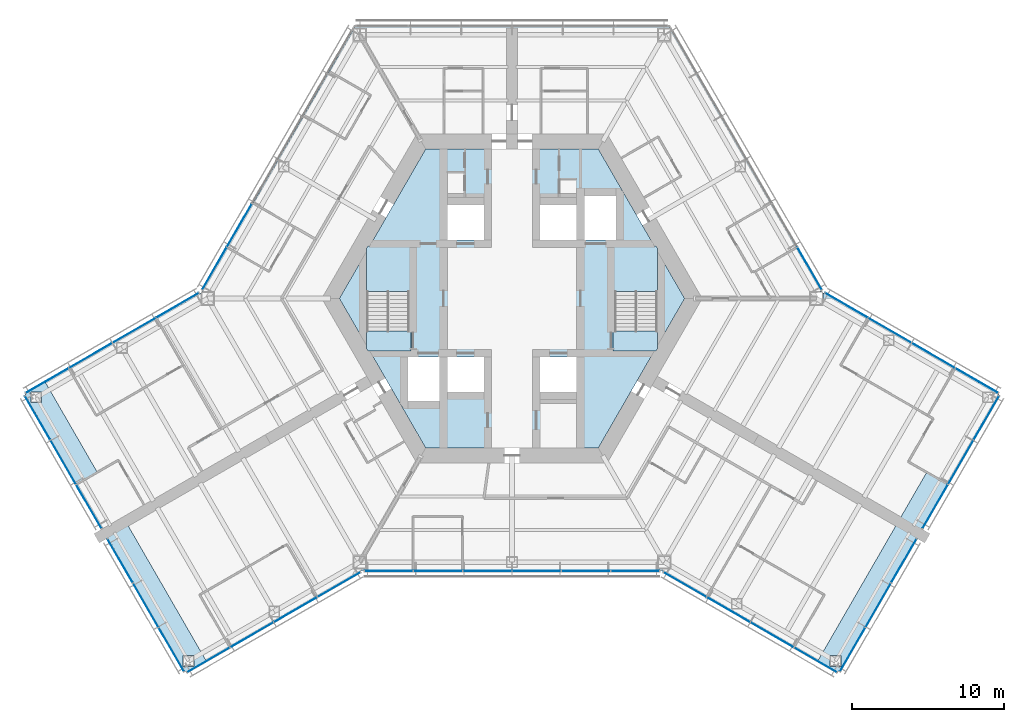
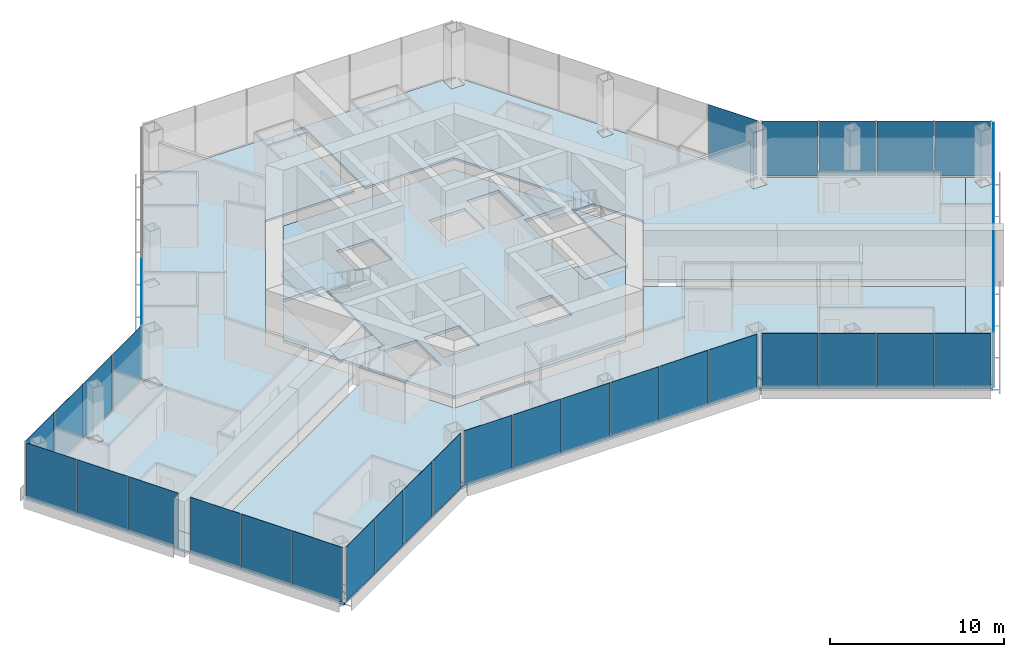
# One storey, part 10 of 18: 37 plates, 11 slabs, 13 elements without a shape of their own.
"""IFC4 building model written with IfcOpenShell, lengths in metres."""

from ifc_helpers import new_model, si_unit, direction, frame, origin, origin_2d, place, context, subcontext, project, spatial, polyline, rectangle, outline, extrude, material, layer, layer_set, type_object, element, aggregate, save


model = new_model("IFC4")

# Units and contexts
model_context = context("Model", 3, precision=1e-05, world=origin(), true_north=direction((0.0, 1.0)))
body_context = subcontext(model_context, "Body", "Model", "MODEL_VIEW")
ifc_project = project(units=[si_unit("LENGTHUNIT", "METRE"), si_unit("AREAUNIT", "SQUARE_METRE"), si_unit("VOLUMEUNIT", "CUBIC_METRE"), si_unit("PLANEANGLEUNIT", "RADIAN"), si_unit("MASSUNIT", "GRAM", prefix="KILO")], contexts=[model_context])

# Site, building, storey
site_placement = place(None, origin())
site = spatial("IfcSite", under=ifc_project, at=site_placement, CompositionType="ELEMENT")
building_placement = place(site_placement, origin())
building = spatial("IfcBuilding", under=site, at=building_placement, Name="Kasaneha Research Tower", CompositionType="ELEMENT")
storey_placement = place(building_placement, frame((0.0, 0.0, 133.10009765625)))
storey = spatial("IfcBuildingStorey", under=building, at=storey_placement, Name="L33", CompositionType="ELEMENT", Elevation=133.10009765625)

# Curtain wall, plates
ifc_material_1 = material(Name="Glass and aluminium", Category="aluminium")
curtain_wall_type = type_object("IfcCurtainWallType", Name="Mid-rise office curtain wall", PredefinedType="USERDEFINED", material=ifc_material_1)
curtain_wall_1_placement = place(storey_placement, origin())
curtain_wall_1 = element("IfcCurtainWall", 1, at=curtain_wall_1_placement, inside=storey, type_object=curtain_wall_type, Name="CW-O2 L33 run 01a", ObjectType="UNITISED CURTAIN WALL", PredefinedType="USERDEFINED")
ifc_material_2 = material(Name="Laminated double glazing", Category="glass")
ifc_layer_1 = layer(ifc_material_2, 0.02587890625)
ifc_layer_set_1 = layer_set([ifc_layer_1], Name="CW-O2 glazed panel")
plate_type = type_object("IfcPlateType", Name="CW-O2 glazed panel", PredefinedType="CURTAIN_PANEL", material=ifc_layer_set_1)
plate_1_placement = place(storey_placement, frame((-8.10107421875, -17.92041015625, 0.06005859375), z_axis=(0.0, 0.0, 1.0), x_axis=(1.0, 0.0, 0.0)))
plate_1 = element("IfcPlate", 2, at=plate_1_placement, type_object=plate_type, Name="CW-O2 panel 1", PredefinedType="CURTAIN_PANEL", context=body_context, shape_type="SweptSolid", body=[
    extrude(rectangle(XDim=3.156494140625, YDim=0.02587890625, at=origin_2d()), origin(), (0.0, 0.0, 1.0), 3.840087890625),
])
plate_2_placement = place(storey_placement, frame((-4.86962890625, -17.92041015625, 0.06005859375), z_axis=(0.0, 0.0, 1.0), x_axis=(1.0, 0.0, 0.0)))
plate_2 = element("IfcPlate", 3, at=plate_2_placement, type_object=plate_type, Name="CW-O2 panel 2", PredefinedType="CURTAIN_PANEL", context=body_context, shape_type="SweptSolid", body=[
    extrude(rectangle(XDim=3.1865234375, YDim=0.02587890625, at=origin_2d()), origin(), (0.0, 0.0, 1.0), 3.840087890625),
])
plate_3_placement = place(storey_placement, frame((-1.623291015625, -17.92041015625, 0.06005859375), z_axis=(0.0, 0.0, 1.0), x_axis=(1.0, 0.0, 0.0)))
plate_3 = element("IfcPlate", 4, at=plate_3_placement, type_object=plate_type, Name="CW-O2 panel 3", PredefinedType="CURTAIN_PANEL", context=body_context, shape_type="SweptSolid", body=[
    extrude(rectangle(XDim=3.1865234375, YDim=0.02587890625, at=origin_2d()), origin(), (0.0, 0.0, 1.0), 3.840087890625),
])
plate_4_placement = place(storey_placement, frame((1.623291015625, -17.92041015625, 0.06005859375), z_axis=(0.0, 0.0, 1.0), x_axis=(1.0, 0.0, 0.0)))
plate_4 = element("IfcPlate", 5, at=plate_4_placement, type_object=plate_type, Name="CW-O2 panel 4", PredefinedType="CURTAIN_PANEL", context=body_context, shape_type="SweptSolid", body=[
    extrude(rectangle(XDim=3.1865234375, YDim=0.02587890625, at=origin_2d()), origin(), (0.0, 0.0, 1.0), 3.840087890625),
])
plate_5_placement = place(storey_placement, frame((4.86962890625, -17.92041015625, 0.06005859375), z_axis=(0.0, 0.0, 1.0), x_axis=(1.0, 0.0, 0.0)))
plate_5 = element("IfcPlate", 6, at=plate_5_placement, type_object=plate_type, Name="CW-O2 panel 5", PredefinedType="CURTAIN_PANEL", context=body_context, shape_type="SweptSolid", body=[
    extrude(rectangle(XDim=3.1865234375, YDim=0.02587890625, at=origin_2d()), origin(), (0.0, 0.0, 1.0), 3.840087890625),
])
plate_6_placement = place(storey_placement, frame((8.10107421875, -17.92041015625, 0.06005859375), z_axis=(0.0, 0.0, 1.0), x_axis=(1.0, 0.0, 0.0)))
plate_6 = element("IfcPlate", 7, at=plate_6_placement, type_object=plate_type, Name="CW-O2 panel 6", PredefinedType="CURTAIN_PANEL", context=body_context, shape_type="SweptSolid", body=[
    extrude(rectangle(XDim=3.156494140625, YDim=0.02587890625, at=origin_2d()), origin(), (0.0, 0.0, 1.0), 3.840087890625),
])
aggregate(curtain_wall_1, [plate_1, plate_2, plate_3, plate_4, plate_5, plate_6])

curtain_wall_2_placement = place(storey_placement, origin())
curtain_wall_2 = element("IfcCurtainWall", 8, at=curtain_wall_2_placement, inside=storey, type_object=curtain_wall_type, Name="CW-O2 L33 run 02a", ObjectType="UNITISED CURTAIN WALL", PredefinedType="USERDEFINED")
plate_7_placement = place(storey_placement, frame((11.3720703125, -18.805419921875, 0.06005859375), z_axis=(0.0, 0.0, 1.0), x_axis=(0.866025411464, -0.499999986699, 0.0)))
plate_7 = element("IfcPlate", 9, at=plate_7_placement, type_object=plate_type, Name="CW-O2 panel 1", PredefinedType="CURTAIN_PANEL", context=body_context, shape_type="SweptSolid", body=[
    extrude(rectangle(XDim=3.2197265625, YDim=0.02587890625, at=origin_2d()), origin(), (0.0, 0.0, 1.0), 3.840087890625),
])
plate_8_placement = place(storey_placement, frame((14.225341796875, -20.452880859375, 0.06005859375), z_axis=(0.0, 0.0, 1.0), x_axis=(0.866025411464, -0.499999986699, 0.0)))
plate_8 = element("IfcPlate", 10, at=plate_8_placement, type_object=plate_type, Name="CW-O2 panel 2", PredefinedType="CURTAIN_PANEL", context=body_context, shape_type="SweptSolid", body=[
    extrude(rectangle(XDim=3.249755859375, YDim=0.02587890625, at=origin_2d()), origin(), (0.0, 0.0, 1.0), 3.840087890625),
])
plate_9_placement = place(storey_placement, frame((17.091796875, -22.107666015625, 0.06005859375), z_axis=(0.0, 0.0, 1.0), x_axis=(0.866025411464, -0.499999986699, 0.0)))
plate_9 = element("IfcPlate", 11, at=plate_9_placement, type_object=plate_type, Name="CW-O2 panel 3", PredefinedType="CURTAIN_PANEL", context=body_context, shape_type="SweptSolid", body=[
    extrude(rectangle(XDim=3.249755859375, YDim=0.02587890625, at=origin_2d()), origin(), (0.0, 0.0, 1.0), 3.840087890625),
])
plate_10_placement = place(storey_placement, frame((19.945068359375, -23.755126953125, 0.06005859375), z_axis=(0.0, 0.0, 1.0), x_axis=(0.866025411464, -0.499999986699, 0.0)))
plate_10 = element("IfcPlate", 12, at=plate_10_placement, type_object=plate_type, Name="CW-O2 panel 4", PredefinedType="CURTAIN_PANEL", context=body_context, shape_type="SweptSolid", body=[
    extrude(rectangle(XDim=3.2197265625, YDim=0.02587890625, at=origin_2d()), origin(), (0.0, 0.0, 1.0), 3.840087890625),
])
aggregate(curtain_wall_2, [plate_7, plate_8, plate_9, plate_10])

curtain_wall_3_placement = place(storey_placement, origin())
curtain_wall_3 = element("IfcCurtainWall", 13, at=curtain_wall_3_placement, inside=storey, type_object=curtain_wall_type, Name="CW-O2 L33 run 03a", ObjectType="UNITISED CURTAIN WALL", PredefinedType="USERDEFINED")
plate_11_placement = place(storey_placement, frame((22.38134765625, -23.075439453125, 0.06005859375), z_axis=(0.0, 0.0, 1.0), x_axis=(0.500000011442, 0.866025397178, 0.0)))
plate_11 = element("IfcPlate", 14, at=plate_11_placement, type_object=plate_type, Name="CW-O2 panel 1", PredefinedType="CURTAIN_PANEL", context=body_context, shape_type="SweptSolid", body=[
    extrude(rectangle(XDim=3.293212890625, YDim=0.02587890625, at=origin_2d()), origin(), (0.0, 0.0, 1.0), 3.840087890625),
])
plate_12_placement = place(storey_placement, frame((24.0654296875, -20.158447265625, 0.06005859375), z_axis=(0.0, 0.0, 1.0), x_axis=(0.500000011442, 0.866025397178, 0.0)))
plate_12 = element("IfcPlate", 15, at=plate_12_placement, type_object=plate_type, Name="CW-O2 panel 2", PredefinedType="CURTAIN_PANEL", context=body_context, shape_type="SweptSolid", body=[
    extrude(rectangle(XDim=3.3232421875, YDim=0.02587890625, at=origin_2d()), origin(), (0.0, 0.0, 1.0), 3.840087890625),
])
plate_13_placement = place(storey_placement, frame((25.74951171875, -17.241455078125, 0.06005859375), z_axis=(0.0, 0.0, 1.0), x_axis=(0.500000011442, 0.866025397178, 0.0)))
plate_13 = element("IfcPlate", 16, at=plate_13_placement, type_object=plate_type, Name="CW-O2 panel 3", PredefinedType="CURTAIN_PANEL", context=body_context, shape_type="SweptSolid", body=[
    extrude(rectangle(XDim=3.293212890625, YDim=0.02587890625, at=origin_2d()), origin(), (0.0, 0.0, 1.0), 3.840087890625),
])
aggregate(curtain_wall_3, [plate_11, plate_12, plate_13])

curtain_wall_4_placement = place(storey_placement, origin())
curtain_wall_4 = element("IfcCurtainWall", 17, at=curtain_wall_4_placement, inside=storey, type_object=curtain_wall_type, Name="CW-O2 L33 run 04a", ObjectType="UNITISED CURTAIN WALL", PredefinedType="USERDEFINED")
plate_14_placement = place(storey_placement, frame((27.806396484375, -13.67919921875, 0.06005859375), z_axis=(0.0, 0.0, 1.0), x_axis=(0.500000011442, 0.866025397178, 0.0)))
plate_14 = element("IfcPlate", 18, at=plate_14_placement, type_object=plate_type, Name="CW-O2 panel 1", PredefinedType="CURTAIN_PANEL", context=body_context, shape_type="SweptSolid", body=[
    extrude(rectangle(XDim=3.293212890625, YDim=0.02587890625, at=origin_2d()), origin(), (0.0, 0.0, 1.0), 3.840087890625),
])
plate_15_placement = place(storey_placement, frame((29.490478515625, -10.761962890625, 0.06005859375), z_axis=(0.0, 0.0, 1.0), x_axis=(0.500000011442, 0.866025397178, 0.0)))
plate_15 = element("IfcPlate", 19, at=plate_15_placement, type_object=plate_type, Name="CW-O2 panel 2", PredefinedType="CURTAIN_PANEL", context=body_context, shape_type="SweptSolid", body=[
    extrude(rectangle(XDim=3.3232421875, YDim=0.02587890625, at=origin_2d()), origin(), (0.0, 0.0, 1.0), 3.840087890625),
])
plate_16_placement = place(storey_placement, frame((31.174560546875, -7.844970703125, 0.06005859375), z_axis=(0.0, 0.0, 1.0), x_axis=(0.500000011442, 0.866025397178, 0.0)))
plate_16 = element("IfcPlate", 20, at=plate_16_placement, type_object=plate_type, Name="CW-O2 panel 3", PredefinedType="CURTAIN_PANEL", context=body_context, shape_type="SweptSolid", body=[
    extrude(rectangle(XDim=3.293212890625, YDim=0.02587890625, at=origin_2d()), origin(), (0.0, 0.0, 1.0), 3.840087890625),
])
aggregate(curtain_wall_4, [plate_14, plate_15, plate_16])

curtain_wall_5_placement = place(storey_placement, origin())
curtain_wall_5 = element("IfcCurtainWall", 21, at=curtain_wall_5_placement, inside=storey, type_object=curtain_wall_type, Name="CW-O2 L33 run 05a", ObjectType="UNITISED CURTAIN WALL", PredefinedType="USERDEFINED")
plate_17_placement = place(storey_placement, frame((30.545166015625, -5.3955078125, 0.06005859375), z_axis=(0.0, 0.0, 1.0), x_axis=(-0.866025411464, 0.499999986699, 0.0)))
plate_17 = element("IfcPlate", 22, at=plate_17_placement, type_object=plate_type, Name="CW-O2 panel 1", PredefinedType="CURTAIN_PANEL", context=body_context, shape_type="SweptSolid", body=[
    extrude(rectangle(XDim=3.2197265625, YDim=0.02587890625, at=origin_2d()), origin(), (0.0, 0.0, 1.0), 3.840087890625),
])
plate_18_placement = place(storey_placement, frame((27.69189453125, -3.748046875, 0.06005859375), z_axis=(0.0, 0.0, 1.0), x_axis=(-0.866025411464, 0.499999986699, 0.0)))
plate_18 = element("IfcPlate", 23, at=plate_18_placement, type_object=plate_type, Name="CW-O2 panel 2", PredefinedType="CURTAIN_PANEL", context=body_context, shape_type="SweptSolid", body=[
    extrude(rectangle(XDim=3.249755859375, YDim=0.02587890625, at=origin_2d()), origin(), (0.0, 0.0, 1.0), 3.840087890625),
])
plate_19_placement = place(storey_placement, frame((24.825439453125, -2.093017578125, 0.06005859375), z_axis=(0.0, 0.0, 1.0), x_axis=(-0.866025411464, 0.499999986699, 0.0)))
plate_19 = element("IfcPlate", 24, at=plate_19_placement, type_object=plate_type, Name="CW-O2 panel 3", PredefinedType="CURTAIN_PANEL", context=body_context, shape_type="SweptSolid", body=[
    extrude(rectangle(XDim=3.249755859375, YDim=0.02587890625, at=origin_2d()), origin(), (0.0, 0.0, 1.0), 3.840087890625),
])
plate_20_placement = place(storey_placement, frame((21.971923828125, -0.44580078125, 0.06005859375), z_axis=(0.0, 0.0, 1.0), x_axis=(-0.866025411464, 0.499999986699, 0.0)))
plate_20 = element("IfcPlate", 25, at=plate_20_placement, type_object=plate_type, Name="CW-O2 panel 4", PredefinedType="CURTAIN_PANEL", context=body_context, shape_type="SweptSolid", body=[
    extrude(rectangle(XDim=3.2197265625, YDim=0.02587890625, at=origin_2d()), origin(), (0.0, 0.0, 1.0), 3.840087890625),
])
aggregate(curtain_wall_5, [plate_17, plate_18, plate_19, plate_20])

# Curtain wall, plate
curtain_wall_6_placement = place(storey_placement, origin())
curtain_wall_6 = element("IfcCurtainWall", 26, at=curtain_wall_6_placement, inside=storey, type_object=curtain_wall_type, Name="CW-O2 L33 run 06a", ObjectType="UNITISED CURTAIN WALL", PredefinedType="USERDEFINED")
plate_21_placement = place(storey_placement, frame((19.559814453125, 1.962646484375, 0.06005859375), z_axis=(0.0, 0.0, 1.0), x_axis=(-0.499999979232, 0.866025415775, 0.0)))
plate_21 = element("IfcPlate", 27, at=plate_21_placement, type_object=plate_type, Name="CW-O2 panel 1", PredefinedType="CURTAIN_PANEL", context=body_context, shape_type="SweptSolid", body=[
    extrude(rectangle(XDim=3.197998046875, YDim=0.02587890625, at=origin_2d()), origin(), (0.0, 0.0, 1.0), 3.840087890625),
])
aggregate(curtain_wall_6, [plate_21])

# Curtain wall, plates
curtain_wall_7_placement = place(storey_placement, origin())
curtain_wall_7 = element("IfcCurtainWall", 28, at=curtain_wall_7_placement, inside=storey, type_object=curtain_wall_type, Name="CW-O2 L33 run 08a", ObjectType="UNITISED CURTAIN WALL", PredefinedType="USERDEFINED")
plate_22_placement = place(storey_placement, frame((-17.923095703125, 4.797119140625, 0.06005859375), z_axis=(0.0, 0.0, 1.0), x_axis=(-0.499999979232, -0.866025415775, 0.0)))
plate_22 = element("IfcPlate", 29, at=plate_22_placement, type_object=plate_type, Name="CW-O2 panel 5", PredefinedType="CURTAIN_PANEL", context=body_context, shape_type="SweptSolid", body=[
    extrude(rectangle(XDim=3.22802734375, YDim=0.02587890625, at=origin_2d()), origin(), (0.0, 0.0, 1.0), 3.840087890625),
])
plate_23_placement = place(storey_placement, frame((-19.559814453125, 1.962646484375, 0.06005859375), z_axis=(0.0, 0.0, 1.0), x_axis=(-0.499999979232, -0.866025415775, 0.0)))
plate_23 = element("IfcPlate", 30, at=plate_23_placement, type_object=plate_type, Name="CW-O2 panel 6", PredefinedType="CURTAIN_PANEL", context=body_context, shape_type="SweptSolid", body=[
    extrude(rectangle(XDim=3.197998046875, YDim=0.02587890625, at=origin_2d()), origin(), (0.0, 0.0, 1.0), 3.840087890625),
])
aggregate(curtain_wall_7, [plate_22, plate_23])

curtain_wall_8_placement = place(storey_placement, origin())
curtain_wall_8 = element("IfcCurtainWall", 31, at=curtain_wall_8_placement, inside=storey, type_object=curtain_wall_type, Name="CW-O2 L33 run 09a", ObjectType="UNITISED CURTAIN WALL", PredefinedType="USERDEFINED")
plate_24_placement = place(storey_placement, frame((-21.971923828125, -0.44580078125, 0.06005859375), z_axis=(0.0, 0.0, 1.0), x_axis=(-0.866025411464, -0.499999986699, 0.0)))
plate_24 = element("IfcPlate", 32, at=plate_24_placement, type_object=plate_type, Name="CW-O2 panel 1", PredefinedType="CURTAIN_PANEL", context=body_context, shape_type="SweptSolid", body=[
    extrude(rectangle(XDim=3.2197265625, YDim=0.02587890625, at=origin_2d()), origin(), (0.0, 0.0, 1.0), 3.840087890625),
])
plate_25_placement = place(storey_placement, frame((-24.825439453125, -2.093017578125, 0.06005859375), z_axis=(0.0, 0.0, 1.0), x_axis=(-0.866025411464, -0.499999986699, 0.0)))
plate_25 = element("IfcPlate", 33, at=plate_25_placement, type_object=plate_type, Name="CW-O2 panel 2", PredefinedType="CURTAIN_PANEL", context=body_context, shape_type="SweptSolid", body=[
    extrude(rectangle(XDim=3.249755859375, YDim=0.02587890625, at=origin_2d()), origin(), (0.0, 0.0, 1.0), 3.840087890625),
])
plate_26_placement = place(storey_placement, frame((-27.69189453125, -3.748046875, 0.06005859375), z_axis=(0.0, 0.0, 1.0), x_axis=(-0.866025411464, -0.499999986699, 0.0)))
plate_26 = element("IfcPlate", 34, at=plate_26_placement, type_object=plate_type, Name="CW-O2 panel 3", PredefinedType="CURTAIN_PANEL", context=body_context, shape_type="SweptSolid", body=[
    extrude(rectangle(XDim=3.249755859375, YDim=0.02587890625, at=origin_2d()), origin(), (0.0, 0.0, 1.0), 3.840087890625),
])
plate_27_placement = place(storey_placement, frame((-30.545166015625, -5.3955078125, 0.06005859375), z_axis=(0.0, 0.0, 1.0), x_axis=(-0.866025411464, -0.499999986699, 0.0)))
plate_27 = element("IfcPlate", 35, at=plate_27_placement, type_object=plate_type, Name="CW-O2 panel 4", PredefinedType="CURTAIN_PANEL", context=body_context, shape_type="SweptSolid", body=[
    extrude(rectangle(XDim=3.2197265625, YDim=0.02587890625, at=origin_2d()), origin(), (0.0, 0.0, 1.0), 3.840087890625),
])
aggregate(curtain_wall_8, [plate_24, plate_25, plate_26, plate_27])

curtain_wall_9_placement = place(storey_placement, origin())
curtain_wall_9 = element("IfcCurtainWall", 36, at=curtain_wall_9_placement, inside=storey, type_object=curtain_wall_type, Name="CW-O2 L33 run 10a", ObjectType="UNITISED CURTAIN WALL", PredefinedType="USERDEFINED")
plate_28_placement = place(storey_placement, frame((-31.174560546875, -7.844970703125, 0.06005859375), z_axis=(0.0, 0.0, 1.0), x_axis=(0.500000011442, -0.866025397178, 0.0)))
plate_28 = element("IfcPlate", 37, at=plate_28_placement, type_object=plate_type, Name="CW-O2 panel 1", PredefinedType="CURTAIN_PANEL", context=body_context, shape_type="SweptSolid", body=[
    extrude(rectangle(XDim=3.293212890625, YDim=0.02587890625, at=origin_2d()), origin(), (0.0, 0.0, 1.0), 3.840087890625),
])
plate_29_placement = place(storey_placement, frame((-29.490478515625, -10.761962890625, 0.06005859375), z_axis=(0.0, 0.0, 1.0), x_axis=(0.500000011442, -0.866025397178, 0.0)))
plate_29 = element("IfcPlate", 38, at=plate_29_placement, type_object=plate_type, Name="CW-O2 panel 2", PredefinedType="CURTAIN_PANEL", context=body_context, shape_type="SweptSolid", body=[
    extrude(rectangle(XDim=3.3232421875, YDim=0.02587890625, at=origin_2d()), origin(), (0.0, 0.0, 1.0), 3.840087890625),
])
plate_30_placement = place(storey_placement, frame((-27.806396484375, -13.67919921875, 0.06005859375), z_axis=(0.0, 0.0, 1.0), x_axis=(0.500000011442, -0.866025397178, 0.0)))
plate_30 = element("IfcPlate", 39, at=plate_30_placement, type_object=plate_type, Name="CW-O2 panel 3", PredefinedType="CURTAIN_PANEL", context=body_context, shape_type="SweptSolid", body=[
    extrude(rectangle(XDim=3.293212890625, YDim=0.02587890625, at=origin_2d()), origin(), (0.0, 0.0, 1.0), 3.840087890625),
])
aggregate(curtain_wall_9, [plate_28, plate_29, plate_30])

curtain_wall_10_placement = place(storey_placement, origin())
curtain_wall_10 = element("IfcCurtainWall", 40, at=curtain_wall_10_placement, inside=storey, type_object=curtain_wall_type, Name="CW-O2 L33 run 11a", ObjectType="UNITISED CURTAIN WALL", PredefinedType="USERDEFINED")
plate_31_placement = place(storey_placement, frame((-25.74951171875, -17.241455078125, 0.06005859375), z_axis=(0.0, 0.0, 1.0), x_axis=(0.500000011442, -0.866025397178, 0.0)))
plate_31 = element("IfcPlate", 41, at=plate_31_placement, type_object=plate_type, Name="CW-O2 panel 1", PredefinedType="CURTAIN_PANEL", context=body_context, shape_type="SweptSolid", body=[
    extrude(rectangle(XDim=3.293212890625, YDim=0.02587890625, at=origin_2d()), origin(), (0.0, 0.0, 1.0), 3.840087890625),
])
plate_32_placement = place(storey_placement, frame((-24.0654296875, -20.158447265625, 0.06005859375), z_axis=(0.0, 0.0, 1.0), x_axis=(0.500000011442, -0.866025397178, 0.0)))
plate_32 = element("IfcPlate", 42, at=plate_32_placement, type_object=plate_type, Name="CW-O2 panel 2", PredefinedType="CURTAIN_PANEL", context=body_context, shape_type="SweptSolid", body=[
    extrude(rectangle(XDim=3.3232421875, YDim=0.02587890625, at=origin_2d()), origin(), (0.0, 0.0, 1.0), 3.840087890625),
])
plate_33_placement = place(storey_placement, frame((-22.38134765625, -23.075439453125, 0.06005859375), z_axis=(0.0, 0.0, 1.0), x_axis=(0.500000011442, -0.866025397178, 0.0)))
plate_33 = element("IfcPlate", 43, at=plate_33_placement, type_object=plate_type, Name="CW-O2 panel 3", PredefinedType="CURTAIN_PANEL", context=body_context, shape_type="SweptSolid", body=[
    extrude(rectangle(XDim=3.293212890625, YDim=0.02587890625, at=origin_2d()), origin(), (0.0, 0.0, 1.0), 3.840087890625),
])
aggregate(curtain_wall_10, [plate_31, plate_32, plate_33])

curtain_wall_11_placement = place(storey_placement, origin())
curtain_wall_11 = element("IfcCurtainWall", 44, at=curtain_wall_11_placement, inside=storey, type_object=curtain_wall_type, Name="CW-O2 L33 run 12a", ObjectType="UNITISED CURTAIN WALL", PredefinedType="USERDEFINED")
plate_34_placement = place(storey_placement, frame((-19.945068359375, -23.755126953125, 0.06005859375), z_axis=(0.0, 0.0, 1.0), x_axis=(0.866025411464, 0.499999986699, 0.0)))
plate_34 = element("IfcPlate", 45, at=plate_34_placement, type_object=plate_type, Name="CW-O2 panel 1", PredefinedType="CURTAIN_PANEL", context=body_context, shape_type="SweptSolid", body=[
    extrude(rectangle(XDim=3.2197265625, YDim=0.02587890625, at=origin_2d()), origin(), (0.0, 0.0, 1.0), 3.840087890625),
])
plate_35_placement = place(storey_placement, frame((-17.091796875, -22.107666015625, 0.06005859375), z_axis=(0.0, 0.0, 1.0), x_axis=(0.866025411464, 0.499999986699, 0.0)))
plate_35 = element("IfcPlate", 46, at=plate_35_placement, type_object=plate_type, Name="CW-O2 panel 2", PredefinedType="CURTAIN_PANEL", context=body_context, shape_type="SweptSolid", body=[
    extrude(rectangle(XDim=3.249755859375, YDim=0.02587890625, at=origin_2d()), origin(), (0.0, 0.0, 1.0), 3.840087890625),
])
plate_36_placement = place(storey_placement, frame((-14.225341796875, -20.452880859375, 0.06005859375), z_axis=(0.0, 0.0, 1.0), x_axis=(0.866025411464, 0.499999986699, 0.0)))
plate_36 = element("IfcPlate", 47, at=plate_36_placement, type_object=plate_type, Name="CW-O2 panel 3", PredefinedType="CURTAIN_PANEL", context=body_context, shape_type="SweptSolid", body=[
    extrude(rectangle(XDim=3.249755859375, YDim=0.02587890625, at=origin_2d()), origin(), (0.0, 0.0, 1.0), 3.840087890625),
])
plate_37_placement = place(storey_placement, frame((-11.3720703125, -18.805419921875, 0.06005859375), z_axis=(0.0, 0.0, 1.0), x_axis=(0.866025411464, 0.499999986699, 0.0)))
plate_37 = element("IfcPlate", 48, at=plate_37_placement, type_object=plate_type, Name="CW-O2 panel 4", PredefinedType="CURTAIN_PANEL", context=body_context, shape_type="SweptSolid", body=[
    extrude(rectangle(XDim=3.2197265625, YDim=0.02587890625, at=origin_2d()), origin(), (0.0, 0.0, 1.0), 3.840087890625),
])
aggregate(curtain_wall_11, [plate_34, plate_35, plate_36, plate_37])

# Slabs
ifc_material_3 = material(Name="Concrete Fc24", Category="concrete")
ifc_layer_2 = layer(ifc_material_3, 0.199951171875)
ifc_layer_set_2 = layer_set([ifc_layer_2], Name="Core floor slab 200")
slab_type_1 = type_object("IfcSlabType", Name="Core floor slab 200", PredefinedType="FLOOR", material=ifc_layer_set_2)
slab_1_placement = place(storey_placement, frame((0.0, 0.0, -0.2001953125)))
element("IfcSlab", 49, at=slab_1_placement, inside=storey, type_object=slab_type_1, Name="Core slab L33", PredefinedType="FLOOR", context=body_context, shape_type="SweptSolid", body=[
    extrude(outline(polyline([(-11.344970703125, 0.0), (-9.550048828125, 3.10888671875), (-9.550048828125, -3.10888671875), (-11.344970703125, 0.0)])), origin(), (0.0, 0.0, 1.0), 0.2001953125),
])
slab_2_placement = place(storey_placement, frame((0.0, 0.0, -0.2001953125)))
element("IfcSlab", 50, at=slab_2_placement, inside=storey, type_object=slab_type_1, Name="Core slab L33", PredefinedType="FLOOR", context=body_context, shape_type="SweptSolid", body=[
    extrude(outline(polyline([(-5.67236328125, 9.824951171875), (5.67236328125, 9.824951171875), (9.35302734375, 3.449951171875), (6.64990234375, 3.449951171875), (6.64990234375, -3.449951171875), (9.35302734375, -3.449951171875), (5.67236328125, -9.824951171875), (-5.67236328125, -9.824951171875), (-9.35302734375, -3.449951171875), (-6.64990234375, -3.449951171875), (-6.64990234375, 3.449951171875), (-9.35302734375, 3.449951171875), (-5.67236328125, 9.824951171875)]), holes=[polyline([(-6.85009765625, -3.85009765625), (-6.85009765625, -6.75), (-4.75, -6.75), (-4.75, -3.85009765625), (-6.85009765625, -3.85009765625)]), polyline([(-4.25, -3.85009765625), (-4.25, -6.14990234375), (-1.85009765625, -6.14990234375), (-1.85009765625, -3.85009765625), (-4.25, -3.85009765625)]), polyline([(1.85009765625, -3.85009765625), (1.85009765625, -6.14990234375), (4.25, -6.14990234375), (4.25, -3.85009765625), (1.85009765625, -3.85009765625)]), polyline([(-4.25, 6.14990234375), (-4.25, 3.85009765625), (-1.85009765625, 3.85009765625), (-1.85009765625, 6.14990234375), (-4.25, 6.14990234375)]), polyline([(1.85009765625, 6.14990234375), (1.85009765625, 3.85009765625), (4.25, 3.85009765625), (4.25, 6.14990234375), (1.85009765625, 6.14990234375)]), polyline([(4.75, 6.75), (4.75, 3.85009765625), (6.85009765625, 3.85009765625), (6.85009765625, 6.75), (4.75, 6.75)])]), origin(), (0.0, 0.0, 1.0), 0.2001953125),
])
slab_3_placement = place(storey_placement, frame((0.0, 0.0, -0.2001953125)))
element("IfcSlab", 51, at=slab_3_placement, inside=storey, type_object=slab_type_1, Name="Core slab L33", PredefinedType="FLOOR", context=body_context, shape_type="SweptSolid", body=[
    extrude(outline(polyline([(11.344970703125, 0.0), (9.550048828125, -3.10888671875), (9.550048828125, 3.10888671875), (11.344970703125, 0.0)])), origin(), (0.0, 0.0, 1.0), 0.2001953125),
])
ifc_material_4 = material(Name="Concrete Fc24", Category="concrete")
ifc_layer_3 = layer(ifc_material_4, 0.14990234375)
ifc_layer_set_3 = layer_set([ifc_layer_3], Name="Floor slab 150")
slab_type_2 = type_object("IfcSlabType", Name="Floor slab 150", PredefinedType="FLOOR", material=ifc_layer_set_3)
slab_4_placement = place(storey_placement, frame((0.0, 0.0, -0.150146484375)))
element("IfcSlab", 52, at=slab_4_placement, inside=storey, type_object=slab_type_2, Name="Floor slab L33 1", PredefinedType="FLOOR", context=body_context, shape_type="SweptSolid", body=[
    extrude(outline(polyline([(-25.55859375, -14.35205078125), (-25.5673828125, -14.357177734375), (-25.21728515625, -14.96337890625), (-25.208740234375, -14.958251953125), (-20.108642578125, -23.791748046875), (-21.459716796875, -24.57177734375), (-32.009521484375, -6.298583984375), (-30.65869140625, -5.518798828125), (-25.55859375, -14.35205078125)]), holes=[polyline([(-21.6083984375, -24.17041015625), (-20.908447265625, -24.17041015625), (-20.908447265625, -23.470458984375), (-21.6083984375, -23.470458984375), (-21.6083984375, -24.17041015625)]), polyline([(-31.6083984375, -6.85009765625), (-30.908447265625, -6.85009765625), (-30.908447265625, -6.14990234375), (-31.6083984375, -6.14990234375), (-31.6083984375, -6.85009765625)])]), origin(), (0.0, 0.0, 1.0), 0.150146484375),
])
slab_5_placement = place(storey_placement, frame((0.0, 0.0, -0.150146484375)))
element("IfcSlab", 53, at=slab_5_placement, inside=storey, type_object=slab_type_2, Name="Floor slab L33 2", PredefinedType="FLOOR", context=body_context, shape_type="SweptSolid", body=[
    extrude(outline(polyline([(9.8525390625, -17.87060546875), (-9.8525390625, -17.87060546875), (-20.108642578125, -23.791748046875), (-25.208740234375, -14.958251953125), (-9.19970703125, -5.715576171875), (-6.249755859375, -10.824951171875), (6.249755859375, -10.824951171875), (9.19970703125, -5.715576171875), (25.208740234375, -14.958251953125), (20.108642578125, -23.791748046875), (9.8525390625, -17.87060546875)]), holes=[polyline([(-15.979248046875, -20.92041015625), (-15.279052734375, -20.92041015625), (-15.279052734375, -20.220458984375), (-15.979248046875, -20.220458984375), (-15.979248046875, -20.92041015625)]), polyline([(-0.35009765625, -17.67041015625), (0.35009765625, -17.67041015625), (0.35009765625, -16.970458984375), (-0.35009765625, -16.970458984375), (-0.35009765625, -17.67041015625)]), polyline([(-10.449951171875, -16.87060546875), (-10.449951171875, -17.7705078125), (-9.550048828125, -17.7705078125), (-9.550048828125, -16.87060546875), (-10.449951171875, -16.87060546875)]), polyline([(14.4130859375, -20.42041015625), (15.113037109375, -20.42041015625), (15.113037109375, -19.720458984375), (14.4130859375, -19.720458984375), (14.4130859375, -20.42041015625)]), polyline([(9.550048828125, -16.87060546875), (9.550048828125, -17.7705078125), (10.449951171875, -17.7705078125), (10.449951171875, -16.87060546875), (9.550048828125, -16.87060546875)])]), origin(), (0.0, 0.0, 1.0), 0.150146484375),
])
slab_6_placement = place(storey_placement, frame((0.0, 0.0, -0.150146484375)))
element("IfcSlab", 54, at=slab_6_placement, inside=storey, type_object=slab_type_2, Name="Floor slab L33 3", PredefinedType="FLOOR", context=body_context, shape_type="SweptSolid", body=[
    extrude(outline(polyline([(-20.449951171875, -0.449951171875), (-19.550048828125, -0.449951171875), (-19.550048828125, 0.449951171875), (-20.375244140625, 0.449951171875), (-10.449951171875, 17.64111328125), (-10.449951171875, 16.87060546875), (-9.550048828125, 16.87060546875), (-9.550048828125, 17.7705078125), (-10.375244140625, 17.7705078125), (-10.317626953125, 17.87060546875), (10.317626953125, 17.87060546875), (10.375244140625, 17.7705078125), (9.550048828125, 17.7705078125), (9.550048828125, 16.87060546875), (10.449951171875, 16.87060546875), (10.449951171875, 17.64111328125), (20.375244140625, 0.449951171875), (19.550048828125, 0.449951171875), (19.550048828125, -0.449951171875), (20.449951171875, -0.449951171875), (20.449951171875, 0.375244140625), (30.65869140625, -5.518798828125), (25.55859375, -14.35205078125), (9.5498046875, -5.109375), (12.49951171875, 0.0), (6.249755859375, 10.824951171875), (0.35009765625, 10.824951171875), (0.35009765625, 17.7705078125), (-0.35009765625, 17.7705078125), (-0.35009765625, 10.824951171875), (-6.249755859375, 10.824951171875), (-12.49951171875, 0.0), (-9.5498046875, -5.109375), (-25.55859375, -14.35205078125), (-30.65869140625, -5.518798828125), (-20.449951171875, 0.375244140625), (-20.449951171875, -0.449951171875)]), holes=[polyline([(-25.979248046875, -3.60009765625), (-25.279052734375, -3.60009765625), (-25.279052734375, -2.89990234375), (-25.979248046875, -2.89990234375), (-25.979248046875, -3.60009765625)]), polyline([(-15.35009765625, 9.01025390625), (-15.35009765625, 8.310302734375), (-14.64990234375, 8.310302734375), (-14.64990234375, 9.01025390625), (-15.35009765625, 9.01025390625)]), polyline([(24.4130859375, -2.39990234375), (24.4130859375, -3.10009765625), (25.113037109375, -3.10009765625), (25.113037109375, -2.39990234375), (24.4130859375, -2.39990234375)]), polyline([(14.64990234375, 9.01025390625), (14.64990234375, 8.310302734375), (15.35009765625, 8.310302734375), (15.35009765625, 9.01025390625), (14.64990234375, 9.01025390625)])]), origin(), (0.0, 0.0, 1.0), 0.150146484375),
])
slab_7_placement = place(storey_placement, frame((0.0, 0.0, -0.150146484375)))
element("IfcSlab", 55, at=slab_7_placement, inside=storey, type_object=slab_type_2, Name="Floor slab L33 4", PredefinedType="FLOOR", context=body_context, shape_type="SweptSolid", body=[
    extrude(outline(polyline([(32.009521484375, -6.298583984375), (21.459716796875, -24.57177734375), (20.108642578125, -23.791748046875), (25.208740234375, -14.958251953125), (25.21728515625, -14.96337890625), (25.5673828125, -14.357177734375), (25.55859375, -14.35205078125), (30.65869140625, -5.518798828125), (32.009521484375, -6.298583984375)]), holes=[polyline([(20.908447265625, -24.17041015625), (21.6083984375, -24.17041015625), (21.6083984375, -23.470458984375), (20.908447265625, -23.470458984375), (20.908447265625, -24.17041015625)]), polyline([(30.908447265625, -6.85009765625), (31.6083984375, -6.85009765625), (31.6083984375, -6.14990234375), (30.908447265625, -6.14990234375), (30.908447265625, -6.85009765625)])]), origin(), (0.0, 0.0, 1.0), 0.150146484375),
])

# Stair, slabs
ifc_material_5 = material(Name="Concrete Fc24", Category="concrete")
stair_type = type_object("IfcStairType", Name="Half-turn stair 22 risers", PredefinedType="HALF_TURN_STAIR", material=ifc_material_5)
stair_1_placement = place(storey_placement, origin())
stair_1 = element("IfcStair", 56, at=stair_1_placement, inside=storey, type_object=stair_type, Name="Stair 1 L33", PredefinedType="HALF_TURN_STAIR")
ifc_material_6 = material(Name="Concrete Fc24", Category="concrete")
ifc_layer_4 = layer(ifc_material_6, 0.199951171875)
ifc_layer_set_4 = layer_set([ifc_layer_4], Name="Stair 1 landing 200")
slab_type_3 = type_object("IfcSlabType", Name="Stair 1 landing 200", PredefinedType="LANDING", material=ifc_layer_set_4)
slab_8_placement = place(storey_placement, frame((0.0, 0.0, -0.2001953125)))
slab_8 = element("IfcSlab", 57, at=slab_8_placement, type_object=slab_type_3, Name="ST1-22R landing 1", PredefinedType="LANDING", context=body_context, shape_type="SweptSolid", body=[
    extrude(outline(polyline([(9.468505859375, -3.449951171875), (6.64990234375, -3.449951171875), (6.64990234375, -2.14990234375), (9.550048828125, -2.14990234375), (9.550048828125, -3.308837890625), (9.468505859375, -3.449951171875)])), origin(), (0.0, 0.0, 1.0), 0.2001953125),
])
slab_9_placement = place(storey_placement, frame((0.0, 0.0, 1.75)))
slab_9 = element("IfcSlab", 58, at=slab_9_placement, type_object=slab_type_3, Name="ST1-22R landing 2", PredefinedType="LANDING", context=body_context, shape_type="SweptSolid", body=[
    extrude(outline(polyline([(6.64990234375, 3.449951171875), (9.468505859375, 3.449951171875), (9.550048828125, 3.308837890625), (9.550048828125, 0.449951171875), (6.64990234375, 0.449951171875), (6.64990234375, 3.449951171875)])), origin(), (0.0, 0.0, 1.0), 0.199951171875),
])
aggregate(stair_1, [slab_8, slab_9])

stair_2_placement = place(storey_placement, origin())
stair_2 = element("IfcStair", 59, at=stair_2_placement, inside=storey, type_object=stair_type, Name="Stair 2 L33", PredefinedType="HALF_TURN_STAIR")
ifc_material_7 = material(Name="Concrete Fc24", Category="concrete")
ifc_layer_5 = layer(ifc_material_7, 0.199951171875)
ifc_layer_set_5 = layer_set([ifc_layer_5], Name="Stair 2 landing 200")
slab_type_4 = type_object("IfcSlabType", Name="Stair 2 landing 200", PredefinedType="LANDING", material=ifc_layer_set_5)
slab_10_placement = place(storey_placement, frame((0.0, 0.0, -0.2001953125)))
slab_10 = element("IfcSlab", 60, at=slab_10_placement, type_object=slab_type_4, Name="ST2-22R landing 1", PredefinedType="LANDING", context=body_context, shape_type="SweptSolid", body=[
    extrude(outline(polyline([(-6.64990234375, -3.449951171875), (-9.468505859375, -3.449951171875), (-9.550048828125, -3.308837890625), (-9.550048828125, -2.14990234375), (-6.64990234375, -2.14990234375), (-6.64990234375, -3.449951171875)])), origin(), (0.0, 0.0, 1.0), 0.2001953125),
])
slab_11_placement = place(storey_placement, frame((0.0, 0.0, 1.75)))
slab_11 = element("IfcSlab", 61, at=slab_11_placement, type_object=slab_type_4, Name="ST2-22R landing 2", PredefinedType="LANDING", context=body_context, shape_type="SweptSolid", body=[
    extrude(outline(polyline([(-6.64990234375, 0.449951171875), (-9.550048828125, 0.449951171875), (-9.550048828125, 3.308837890625), (-9.468505859375, 3.449951171875), (-6.64990234375, 3.449951171875), (-6.64990234375, 0.449951171875)])), origin(), (0.0, 0.0, 1.0), 0.199951171875),
])
aggregate(stair_2, [slab_10, slab_11])

save(model, "model.ifc")
